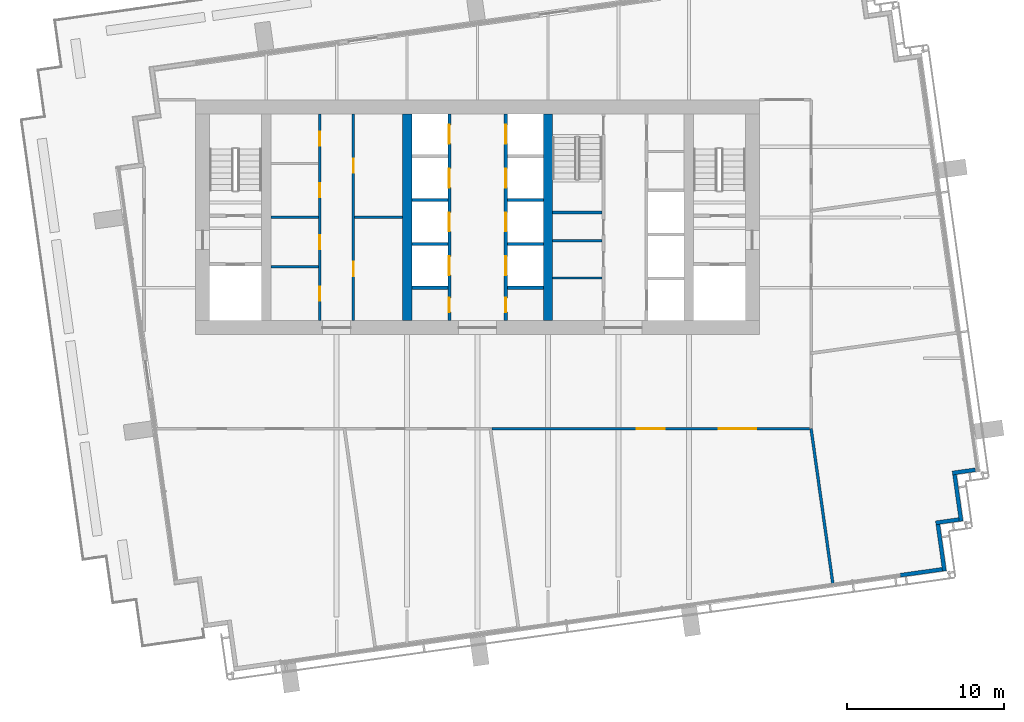
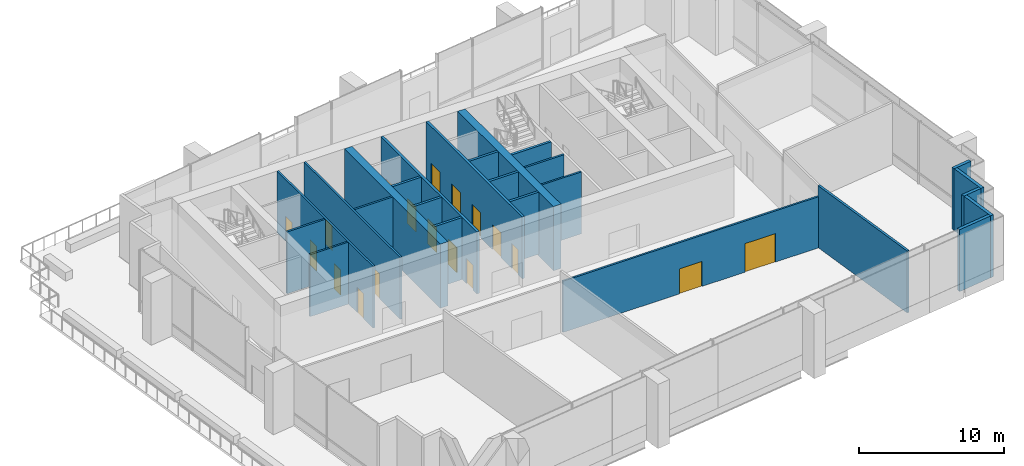
# One storey, part 7 of 18: 25 walls, 17 doors, 1 window, 18 openings.
"""IFC4 building model written with IfcOpenShell, lengths in metres."""

from ifc_helpers import new_model, si_unit, direction, frame, frame_2d, origin, place, context, subcontext, project, spatial, rectangle, extrude, material, layer, layer_set, type_object, element, fill, save


model = new_model("IFC4")

# Units and contexts
model_context = context("Model", 3, precision=1e-05, world=origin(), true_north=direction((0.0, 1.0)))
body_context = subcontext(model_context, "Body", "Model", "MODEL_VIEW")
ifc_project = project(units=[si_unit("LENGTHUNIT", "METRE"), si_unit("AREAUNIT", "SQUARE_METRE"), si_unit("VOLUMEUNIT", "CUBIC_METRE"), si_unit("PLANEANGLEUNIT", "RADIAN"), si_unit("MASSUNIT", "GRAM", prefix="KILO")], contexts=[model_context])

# Site, building, storey
site_placement = place(None, origin())
site = spatial("IfcSite", under=ifc_project, at=site_placement, CompositionType="ELEMENT")
building_placement = place(site_placement, origin())
building = spatial("IfcBuilding", under=site, at=building_placement, Name="Rattan Terrace Tower", CompositionType="ELEMENT")
storey_placement = place(building_placement, frame((0.0, 0.0, 208.10009765625)))
storey = spatial("IfcBuildingStorey", under=building, at=storey_placement, Name="L47", CompositionType="ELEMENT", Elevation=208.10009765625)

# Wall, openings, doors
ifc_material_1 = material(Name="Gypsum board partition")
ifc_layer_1 = layer(ifc_material_1, 0.14990234375)
ifc_layer_set_1 = layer_set([ifc_layer_1], Name="Core partition 150")
wall_type_1 = type_object("IfcWallType", Name="Core partition 150", PredefinedType="PARTITIONING", material=ifc_layer_set_1)
wall_1_placement = place(storey_placement, frame((-10.074951171875, -6.60009765625, 0.0), z_axis=(0.0, 0.0, 1.0), x_axis=(0.0, 1.0, 0.0)))
wall_1 = element("IfcWall", 1, at=wall_1_placement, inside=storey, type_object=wall_type_1, Name="Core room wall", PredefinedType="PARTITIONING", context=body_context, shape_type="SweptSolid", body=[
    extrude(rectangle(XDim=13.2001953125, YDim=0.14990234375, at=frame_2d((6.60009765625, 0.0))), origin(), (0.0, 0.0, 1.0), 5.199951171875),
])
opening_1_placement = place(wall_1_placement, frame((1.26611328125, 0.0, 0.0)))
opening_1 = element("IfcOpeningElement", 2, at=opening_1_placement, cuts=wall_1, Name="Opening L47-D005", PredefinedType="OPENING", context=body_context, shape_type="SweptSolid", body=[
    extrude(rectangle(XDim=0.89990234375, YDim=2.10009765625, at=frame_2d((0.449951171875, 1.050048828125))), frame((0.0, 0.08544921875, 0.0), z_axis=(0.0, -1.0, 0.0), x_axis=(1.0, 0.0, 0.0)), (0.0, 0.0, 1.0), 0.1708984375),
])
opening_2_placement = place(wall_1_placement, frame((4.56591796875, 0.0, 0.0)))
opening_2 = element("IfcOpeningElement", 3, at=opening_2_placement, cuts=wall_1, Name="Opening L47-D006", PredefinedType="OPENING", context=body_context, shape_type="SweptSolid", body=[
    extrude(rectangle(XDim=0.89990234375, YDim=2.10009765625, at=frame_2d((0.449951171875, 1.050048828125))), frame((0.0, 0.08544921875, 0.0), z_axis=(0.0, -1.0, 0.0), x_axis=(1.0, 0.0, 0.0)), (0.0, 0.0, 1.0), 0.1708984375),
])
opening_3_placement = place(wall_1_placement, frame((7.865966796875, 0.0, 0.0)))
opening_3 = element("IfcOpeningElement", 4, at=opening_3_placement, cuts=wall_1, Name="Opening L47-D007", PredefinedType="OPENING", context=body_context, shape_type="SweptSolid", body=[
    extrude(rectangle(XDim=0.89990234375, YDim=2.10009765625, at=frame_2d((0.449951171875, 1.050048828125))), frame((0.0, 0.08544921875, 0.0), z_axis=(0.0, -1.0, 0.0), x_axis=(1.0, 0.0, 0.0)), (0.0, 0.0, 1.0), 0.1708984375),
])
opening_4_placement = place(wall_1_placement, frame((11.166015625, 0.0, 0.0)))
opening_4 = element("IfcOpeningElement", 5, at=opening_4_placement, cuts=wall_1, Name="Opening L47-D008", PredefinedType="OPENING", context=body_context, shape_type="SweptSolid", body=[
    extrude(rectangle(XDim=0.89990234375, YDim=2.10009765625, at=frame_2d((0.449951171875, 1.050048828125))), frame((0.0, 0.08544921875, 0.0), z_axis=(0.0, -1.0, 0.0), x_axis=(1.0, 0.0, 0.0)), (0.0, 0.0, 1.0), 0.1708984375),
])
ifc_material_2 = material(Name="Hollow-metal fire door leaf")
door_type_1 = type_object("IfcDoorType", Name="Core service room door 900", OperationType="NOTDEFINED", PredefinedType="DOOR", material=ifc_material_2)
door_1_placement = place(opening_1_placement, origin())
door_1 = element("IfcDoor", 6, at=door_1_placement, inside=storey, type_object=door_type_1, Name="Door L47-D005", OperationType="SINGLE_SWING_RIGHT", OverallHeight=2.10009765625, OverallWidth=0.89990234375, PredefinedType="DOOR", context=body_context, shape_type="SweptSolid", body=[
    extrude(rectangle(XDim=0.89990234375, YDim=2.10009765625, at=frame_2d((0.449951171875, 1.050048828125))), frame((0.0, 0.02490234375, 0.0), z_axis=(0.0, -1.0, 0.0), x_axis=(1.0, 0.0, 0.0)), (0.0, 0.0, 1.0), 0.050048828125),
])
fill(opening_1, door_1)
door_2_placement = place(opening_2_placement, origin())
door_2 = element("IfcDoor", 7, at=door_2_placement, inside=storey, type_object=door_type_1, Name="Door L47-D006", OperationType="SINGLE_SWING_LEFT", OverallHeight=2.10009765625, OverallWidth=0.89990234375, PredefinedType="DOOR", context=body_context, shape_type="SweptSolid", body=[
    extrude(rectangle(XDim=0.89990234375, YDim=2.10009765625, at=frame_2d((0.449951171875, 1.050048828125))), frame((0.0, 0.02490234375, 0.0), z_axis=(0.0, -1.0, 0.0), x_axis=(1.0, 0.0, 0.0)), (0.0, 0.0, 1.0), 0.050048828125),
])
fill(opening_2, door_2)
door_3_placement = place(opening_3_placement, origin())
door_3 = element("IfcDoor", 8, at=door_3_placement, inside=storey, type_object=door_type_1, Name="Door L47-D007", OperationType="SINGLE_SWING_RIGHT", OverallHeight=2.10009765625, OverallWidth=0.89990234375, PredefinedType="DOOR", context=body_context, shape_type="SweptSolid", body=[
    extrude(rectangle(XDim=0.89990234375, YDim=2.10009765625, at=frame_2d((0.449951171875, 1.050048828125))), frame((0.0, 0.02490234375, 0.0), z_axis=(0.0, -1.0, 0.0), x_axis=(1.0, 0.0, 0.0)), (0.0, 0.0, 1.0), 0.050048828125),
])
fill(opening_3, door_3)
door_4_placement = place(opening_4_placement, origin())
door_4 = element("IfcDoor", 9, at=door_4_placement, inside=storey, type_object=door_type_1, Name="Door L47-D008", OperationType="SINGLE_SWING_LEFT", OverallHeight=2.10009765625, OverallWidth=0.89990234375, PredefinedType="DOOR", context=body_context, shape_type="SweptSolid", body=[
    extrude(rectangle(XDim=0.89990234375, YDim=2.10009765625, at=frame_2d((0.449951171875, 1.050048828125))), frame((0.0, 0.02490234375, 0.0), z_axis=(0.0, -1.0, 0.0), x_axis=(1.0, 0.0, 0.0)), (0.0, 0.0, 1.0), 0.050048828125),
])
fill(opening_4, door_4)

# Walls
for number, where, z_axis, x_axis, name in (
    (10, (-13.199951171875, -3.16796875, 0.0), (0.0, 0.0, 1.0), (1.0, 0.0, 0.0), "Core room wall"),
    (11, (-13.199951171875, 0.0, 0.0), (0.0, 0.0, 1.0), (1.0, 0.0, 0.0), "Core room wall"),
):
    element("IfcWall", number, at=place(storey_placement, frame(where, z_axis=z_axis, x_axis=x_axis)), inside=storey, type_object=wall_type_1, Name=name, PredefinedType="PARTITIONING", context=body_context, shape_type="SweptSolid", body=[
        extrude(rectangle(XDim=3.050048828125, YDim=0.14990234375, at=frame_2d((1.52490234375, 0.0))), origin(), (0.0, 0.0, 1.0), 5.199951171875),
    ])

# Wall, openings, doors
wall_2_placement = place(storey_placement, frame((-7.925048828125, -6.60009765625, 0.0), z_axis=(0.0, 0.0, 1.0), x_axis=(0.0, 1.0, 0.0)))
wall_2 = element("IfcWall", 12, at=wall_2_placement, inside=storey, type_object=wall_type_1, Name="Core room wall", PredefinedType="PARTITIONING", context=body_context, shape_type="SweptSolid", body=[
    extrude(rectangle(XDim=13.2001953125, YDim=0.14990234375, at=frame_2d((6.60009765625, 0.0))), origin(), (0.0, 0.0, 1.0), 5.199951171875),
])
opening_5_placement = place(wall_2_placement, frame((2.85009765625, 0.0, 0.0)))
opening_5 = element("IfcOpeningElement", 13, at=opening_5_placement, cuts=wall_2, Name="Opening L47-D009", PredefinedType="OPENING", context=body_context, shape_type="SweptSolid", body=[
    extrude(rectangle(XDim=0.89990234375, YDim=2.10009765625, at=frame_2d((0.449951171875, 1.050048828125))), frame((0.0, 0.08544921875, 0.0), z_axis=(0.0, -1.0, 0.0), x_axis=(1.0, 0.0, 0.0)), (0.0, 0.0, 1.0), 0.1708984375),
])
opening_6_placement = place(wall_2_placement, frame((9.449951171875, 0.0, 0.0)))
opening_6 = element("IfcOpeningElement", 14, at=opening_6_placement, cuts=wall_2, Name="Opening L47-D010", PredefinedType="OPENING", context=body_context, shape_type="SweptSolid", body=[
    extrude(rectangle(XDim=0.89990234375, YDim=2.10009765625, at=frame_2d((0.449951171875, 1.050048828125))), frame((0.0, 0.08544921875, 0.0), z_axis=(0.0, -1.0, 0.0), x_axis=(1.0, 0.0, 0.0)), (0.0, 0.0, 1.0), 0.1708984375),
])
door_5_placement = place(opening_5_placement, origin())
door_5 = element("IfcDoor", 15, at=door_5_placement, inside=storey, type_object=door_type_1, Name="Door L47-D009", OperationType="SINGLE_SWING_RIGHT", OverallHeight=2.10009765625, OverallWidth=0.89990234375, PredefinedType="DOOR", context=body_context, shape_type="SweptSolid", body=[
    extrude(rectangle(XDim=0.89990234375, YDim=2.10009765625, at=frame_2d((0.449951171875, 1.050048828125))), frame((0.0, 0.02490234375, 0.0), z_axis=(0.0, -1.0, 0.0), x_axis=(1.0, 0.0, 0.0)), (0.0, 0.0, 1.0), 0.050048828125),
])
fill(opening_5, door_5)
door_6_placement = place(opening_6_placement, origin())
door_6 = element("IfcDoor", 16, at=door_6_placement, inside=storey, type_object=door_type_1, Name="Door L47-D010", OperationType="SINGLE_SWING_LEFT", OverallHeight=2.10009765625, OverallWidth=0.89990234375, PredefinedType="DOOR", context=body_context, shape_type="SweptSolid", body=[
    extrude(rectangle(XDim=0.89990234375, YDim=2.10009765625, at=frame_2d((0.449951171875, 1.050048828125))), frame((0.0, 0.02490234375, 0.0), z_axis=(0.0, -1.0, 0.0), x_axis=(1.0, 0.0, 0.0)), (0.0, 0.0, 1.0), 0.050048828125),
])
fill(opening_6, door_6)

# Walls
wall_3_placement = place(storey_placement, frame((-7.85009765625, 0.0, 0.0), z_axis=(0.0, 0.0, 1.0), x_axis=(1.0, 0.0, 0.0)))
element("IfcWall", 17, at=wall_3_placement, inside=storey, type_object=wall_type_1, Name="Core room wall", PredefinedType="PARTITIONING", context=body_context, shape_type="SweptSolid", body=[
    extrude(rectangle(XDim=3.050048828125, YDim=0.14990234375, at=frame_2d((1.52490234375, 0.0))), origin(), (0.0, 0.0, 1.0), 5.199951171875),
])
for number, where, z_axis, x_axis, name in (
    (18, (4.800048828125, -3.8798828125, 0.0), (0.0, 0.0, 1.0), (1.0, 0.0, 0.0), "Toilet wall"),
    (19, (4.800048828125, -1.5, 0.0), (0.0, 0.0, 1.0), (1.0, 0.0, 0.0), "Toilet wall"),
):
    element("IfcWall", number, at=place(storey_placement, frame(where, z_axis=z_axis, x_axis=x_axis)), inside=storey, type_object=wall_type_1, Name=name, PredefinedType="PARTITIONING", context=body_context, shape_type="SweptSolid", body=[
        extrude(rectangle(XDim=3.14990234375, YDim=0.14990234375, at=frame_2d((1.574951171875, 0.0))), origin(), (0.0, 0.0, 1.0), 5.199951171875),
    ])
ifc_material_3 = material(Name="Gypsum board partition")
ifc_layer_2 = layer(ifc_material_3, 0.199951171875)
ifc_layer_set_2 = layer_set([ifc_layer_2], Name="Core partition 200")
wall_type_2 = type_object("IfcWallType", Name="Core partition 200", PredefinedType="PARTITIONING", material=ifc_layer_set_2)
wall_4_placement = place(storey_placement, frame((4.800048828125, 0.300048828125, 0.0), z_axis=(0.0, 0.0, 1.0), x_axis=(1.0, 0.0, 0.0)))
element("IfcWall", 20, at=wall_4_placement, inside=storey, type_object=wall_type_2, Name="Stair enclosure wall", PredefinedType="PARTITIONING", context=body_context, shape_type="SweptSolid", body=[
    extrude(rectangle(XDim=3.14990234375, YDim=0.199951171875, at=frame_2d((1.574951171875, 0.0))), origin(), (0.0, 0.0, 1.0), 5.199951171875),
])
ifc_material_4 = material(Name="Concrete C50/60", Category="concrete")
ifc_layer_3 = layer(ifc_material_4, 0.60009765625)
ifc_layer_set_3 = layer_set([ifc_layer_3], Name="Core spine wall 600 C50/60")
wall_type_3 = type_object("IfcWallType", Name="Core spine wall 600 C50/60", PredefinedType="SHEAR", material=ifc_layer_set_3)
for number, where, z_axis, x_axis, name in (
    (21, (-4.5, -6.60009765625, -0.2001953125), (0.0, 0.0, 1.0), (0.0, 1.0, 0.0), "Core spine wall 2"),
    (22, (4.5, -6.60009765625, -0.2001953125), (0.0, 0.0, 1.0), (0.0, 1.0, 0.0), "Core spine wall 3"),
):
    element("IfcWall", number, at=place(storey_placement, frame(where, z_axis=z_axis, x_axis=x_axis)), inside=storey, type_object=wall_type_3, Name=name, PredefinedType="SHEAR", context=body_context, shape_type="SweptSolid", body=[
        extrude(rectangle(XDim=13.2001953125, YDim=0.60009765625, at=frame_2d((6.60009765625, 0.0))), origin(), (0.0, 0.0, 1.0), 5.400146484375),
    ])
ifc_material_5 = material(Name="Insulated aluminium-clad stud wall", Category="aluminium")
ifc_layer_4 = layer(ifc_material_5, 0.25)
ifc_layer_set_4 = layer_set([ifc_layer_4], Name="Facade Riser Wall 250")
wall_type_4 = type_object("IfcWallType", Name="Facade Riser Wall 250", PredefinedType="SOLIDWALL", material=ifc_layer_set_4)
wall_5_placement = place(storey_placement, frame((26.995361328125, -22.858642578125, 0.0), z_axis=(0.0, 0.0, 1.0), x_axis=(0.99024510326, 0.139336411139, 0.0)))
element("IfcWall", 23, at=wall_5_placement, inside=storey, type_object=wall_type_4, Name="Riser wall L47-1", PredefinedType="SOLIDWALL", context=body_context, shape_type="SweptSolid", body=[
    extrude(rectangle(XDim=2.705322265625, YDim=0.25, at=frame_2d((1.3525390625, 0.0))), origin(), (0.0, 0.0, 1.0), 5.199951171875),
])
wall_6_placement = place(storey_placement, frame((29.8154296875, -22.588134765625, 0.0), z_axis=(0.0, 0.0, 1.0), x_axis=(-0.138983028379, 0.9902947631, 0.0)))
element("IfcWall", 24, at=wall_6_placement, inside=storey, type_object=wall_type_4, Name="Riser wall L47-2", PredefinedType="SOLIDWALL", context=body_context, shape_type="SweptSolid", body=[
    extrude(rectangle(XDim=3.000244140625, YDim=0.25, at=frame_2d((1.5, 0.0))), origin(), (0.0, 0.0, 1.0), 5.199951171875),
])
wall_7_placement = place(storey_placement, frame((29.25732421875, -19.510498046875, 0.0), z_axis=(0.0, 0.0, 1.0), x_axis=(0.990330117064, 0.138730887823, 0.0)))
element("IfcWall", 25, at=wall_7_placement, inside=storey, type_object=wall_type_4, Name="Riser wall L47-3", PredefinedType="SOLIDWALL", context=body_context, shape_type="SweptSolid", body=[
    extrude(rectangle(XDim=1.499267578125, YDim=0.25, at=frame_2d((0.74951171875, 0.0))), origin(), (0.0, 0.0, 1.0), 5.199951171875),
])
wall_8_placement = place(storey_placement, frame((30.88330078125, -19.408935546875, 0.0), z_axis=(0.0, 0.0, 1.0), x_axis=(-0.139324658755, 0.990246756855, 0.0)))
element("IfcWall", 26, at=wall_8_placement, inside=storey, type_object=wall_type_4, Name="Riser wall L47-4", PredefinedType="SOLIDWALL", context=body_context, shape_type="SweptSolid", body=[
    extrude(rectangle(XDim=3.0, YDim=0.25, at=frame_2d((1.5, 0.0))), origin(), (0.0, 0.0, 1.0), 5.199951171875),
])
wall_9_placement = place(storey_placement, frame((30.32421875, -16.331787109375, 0.0), z_axis=(0.0, 0.0, 1.0), x_axis=(0.99024837765, 0.13931313851, 0.0)))
element("IfcWall", 27, at=wall_9_placement, inside=storey, type_object=wall_type_4, Name="Riser wall L47-5", PredefinedType="SOLIDWALL", context=body_context, shape_type="SweptSolid", body=[
    extrude(rectangle(XDim=1.4755859375, YDim=0.25, at=frame_2d((0.73779296875, 0.0))), origin(), (0.0, 0.0, 1.0), 5.199951171875),
])
ifc_material_6 = material(Name="Double steel stud acoustic partition, gypsum board, mineral wool, fire rated", Category="steel")
ifc_layer_5 = layer(ifc_material_6, 0.179931640625)
ifc_layer_set_5 = layer_set([ifc_layer_5], Name="Floors Acoustic Party Wall 180")
wall_type_5 = type_object("IfcWallType", Name="Floors Acoustic Party Wall 180", PredefinedType="PARTITIONING", material=ifc_layer_set_5)
wall_10_placement = place(storey_placement, frame((21.300048828125, -13.5, 0.0), z_axis=(0.0, 0.0, 1.0), x_axis=(0.139100263023, -0.990278302714, 0.0)))
element("IfcWall", 28, at=wall_10_placement, inside=storey, type_object=wall_type_5, Name="pt-L47-012", PredefinedType="PARTITIONING", context=body_context, shape_type="SweptSolid", body=[
    extrude(rectangle(XDim=9.970947265625, YDim=0.179931640625, at=frame_2d((4.9853515625, 0.0))), origin(), (0.0, 0.0, 1.0), 5.199951171875),
])

# Wall, openings, door, window
ifc_material_7 = material(Name="Gypsum board partition on steel studs, fire rated", Category="steel")
ifc_layer_6 = layer(ifc_material_7, 0.14990234375)
ifc_layer_set_6 = layer_set([ifc_layer_6], Name="Floors Tenancy Wall 150")
wall_type_6 = type_object("IfcWallType", Name="Floors Tenancy Wall 150", PredefinedType="PARTITIONING", material=ifc_layer_set_6)
wall_11_placement = place(storey_placement, frame((21.2109375, -13.5, 0.0), z_axis=(0.0, 0.0, 1.0), x_axis=(-1.0, 0.0, 0.0)))
wall_11 = element("IfcWall", 29, at=wall_11_placement, inside=storey, type_object=wall_type_6, Name="pt-L47-003", PredefinedType="PARTITIONING", context=body_context, shape_type="SweptSolid", body=[
    extrude(rectangle(XDim=20.286865234375, YDim=0.14990234375, at=frame_2d((10.1435546875, 0.0))), origin(), (0.0, 0.0, 1.0), 4.2998046875),
])
opening_7_placement = place(wall_11_placement, frame((9.242919921875, 0.0, 0.0)))
opening_7 = element("IfcOpeningElement", 30, at=opening_7_placement, cuts=wall_11, Name="Opening L47-D102", PredefinedType="OPENING", context=body_context, shape_type="SweptSolid", body=[
    extrude(rectangle(XDim=1.800048828125, YDim=2.10009765625, at=frame_2d((0.89990234375, 1.050048828125))), frame((0.0, 0.08544921875, 0.0), z_axis=(0.0, -1.0, 0.0), x_axis=(1.0, 0.0, 0.0)), (0.0, 0.0, 1.0), 0.1708984375),
])
opening_8_placement = place(wall_11_placement, frame((3.422119140625, 0.0, 0.0)))
opening_8 = element("IfcOpeningElement", 31, at=opening_8_placement, cuts=wall_11, Name="Opening L47-W102", PredefinedType="OPENING", context=body_context, shape_type="SweptSolid", body=[
    extrude(rectangle(XDim=2.39990234375, YDim=2.39990234375, at=frame_2d((1.199951171875, 1.199951171875))), frame((0.0, 0.08544921875, 0.0), z_axis=(0.0, -1.0, 0.0), x_axis=(1.0, 0.0, 0.0)), (0.0, 0.0, 1.0), 0.1708984375),
])
ifc_material_8 = material(Name="Steel fire door set", Category="steel")
door_type_2 = type_object("IfcDoorType", Name="Floors Fire Door Pair FD30S 1800x2100", OperationType="NOTDEFINED", PredefinedType="DOOR", material=ifc_material_8)
door_7_placement = place(opening_7_placement, origin())
door_7 = element("IfcDoor", 32, at=door_7_placement, inside=storey, type_object=door_type_2, Name="d-L47-102", OperationType="DOUBLE_DOOR_SINGLE_SWING", OverallHeight=2.10009765625, OverallWidth=1.800048828125, PredefinedType="DOOR", context=body_context, shape_type="SweptSolid", body=[
    extrude(rectangle(XDim=1.800048828125, YDim=2.10009765625, at=frame_2d((0.89990234375, 1.050048828125))), frame((0.0, 0.02490234375, 0.0), z_axis=(0.0, -1.0, 0.0), x_axis=(1.0, 0.0, 0.0)), (0.0, 0.0, 1.0), 0.050048828125),
])
fill(opening_7, door_7)
ifc_material_9 = material(Name="Glass, clear, fixed in aluminium frame", Category="aluminium")
window_type = type_object("IfcWindowType", Name="Interior Glazed Screen 2400x2400", PartitioningType="SINGLE_PANEL", PredefinedType="WINDOW", material=ifc_material_9)
window_placement = place(opening_8_placement, origin())
window = element("IfcWindow", 33, at=window_placement, inside=storey, type_object=window_type, Name="w-L47-102", OverallHeight=2.39990234375, OverallWidth=2.39990234375, PartitioningType="SINGLE_PANEL", PredefinedType="WINDOW", context=body_context, shape_type="SweptSolid", body=[
    extrude(rectangle(XDim=2.39990234375, YDim=2.39990234375, at=frame_2d((1.199951171875, 1.199951171875))), frame((0.0, 0.030029296875, 0.0), z_axis=(0.0, -1.0, 0.0), x_axis=(1.0, 0.0, 0.0)), (0.0, 0.0, 1.0), 0.06005859375),
])
fill(opening_8, window)

# Wall, openings, doors
ifc_material_10 = material(Name="Gypsum shaft wall system")
ifc_layer_7 = layer(ifc_material_10, 0.199951171875)
ifc_layer_set_7 = layer_set([ifc_layer_7], Name="Lift shaft wall 200")
wall_type_7 = type_object("IfcWallType", Name="Lift shaft wall 200", PredefinedType="PARTITIONING", material=ifc_layer_set_7)
wall_12_placement = place(storey_placement, frame((-1.800048828125, -6.60009765625, 0.0), z_axis=(0.0, 0.0, 1.0), x_axis=(0.0, 1.0, 0.0)))
wall_12 = element("IfcWall", 34, at=wall_12_placement, inside=storey, type_object=wall_type_7, Name="Lift shaft front wall", PredefinedType="PARTITIONING", context=body_context, shape_type="SweptSolid", body=[
    extrude(rectangle(XDim=13.2001953125, YDim=0.199951171875, at=frame_2d((6.60009765625, 0.0))), origin(), (0.0, 0.0, 1.0), 5.199951171875),
])
opening_9_placement = place(wall_12_placement, frame((0.550048828125, 0.0, 0.0)))
opening_9 = element("IfcOpeningElement", 35, at=opening_9_placement, cuts=wall_12, Name="Opening L47-D012", PredefinedType="OPENING", context=body_context, shape_type="SweptSolid", body=[
    extrude(rectangle(XDim=0.89990234375, YDim=2.10009765625, at=frame_2d((0.449951171875, 1.050048828125))), frame((0.0, 0.110595703125, 0.0), z_axis=(0.0, -1.0, 0.0), x_axis=(1.0, 0.0, 0.0)), (0.0, 0.0, 1.0), 0.220947265625),
])
opening_10_placement = place(wall_12_placement, frame((2.89990234375, 0.0, 0.0)))
opening_10 = element("IfcOpeningElement", 36, at=opening_10_placement, cuts=wall_12, Name="Opening L47-LD-HR1", PredefinedType="OPENING", context=body_context, shape_type="SweptSolid", body=[
    extrude(rectangle(XDim=1.199951171875, YDim=2.10009765625, at=frame_2d((0.60009765625, 1.050048828125))), frame((0.0, 0.110595703125, 0.0), z_axis=(0.0, -1.0, 0.0), x_axis=(1.0, 0.0, 0.0)), (0.0, 0.0, 1.0), 0.220947265625),
])
opening_11_placement = place(wall_12_placement, frame((5.699951171875, 0.0, 0.0)))
opening_11 = element("IfcOpeningElement", 37, at=opening_11_placement, cuts=wall_12, Name="Opening L47-LD-HR2", PredefinedType="OPENING", context=body_context, shape_type="SweptSolid", body=[
    extrude(rectangle(XDim=1.199951171875, YDim=2.10009765625, at=frame_2d((0.60009765625, 1.050048828125))), frame((0.0, 0.110595703125, 0.0), z_axis=(0.0, -1.0, 0.0), x_axis=(1.0, 0.0, 0.0)), (0.0, 0.0, 1.0), 0.220947265625),
])
opening_12_placement = place(wall_12_placement, frame((8.5, 0.0, 0.0)))
opening_12 = element("IfcOpeningElement", 38, at=opening_12_placement, cuts=wall_12, Name="Opening L47-LD-HR3", PredefinedType="OPENING", context=body_context, shape_type="SweptSolid", body=[
    extrude(rectangle(XDim=1.199951171875, YDim=2.10009765625, at=frame_2d((0.60009765625, 1.050048828125))), frame((0.0, 0.110595703125, 0.0), z_axis=(0.0, -1.0, 0.0), x_axis=(1.0, 0.0, 0.0)), (0.0, 0.0, 1.0), 0.220947265625),
])
opening_13_placement = place(wall_12_placement, frame((11.300048828125, 0.0, 0.0)))
opening_13 = element("IfcOpeningElement", 39, at=opening_13_placement, cuts=wall_12, Name="Opening L47-LD-HR4", PredefinedType="OPENING", context=body_context, shape_type="SweptSolid", body=[
    extrude(rectangle(XDim=1.199951171875, YDim=2.10009765625, at=frame_2d((0.60009765625, 1.050048828125))), frame((0.0, 0.110595703125, 0.0), z_axis=(0.0, -1.0, 0.0), x_axis=(1.0, 0.0, 0.0)), (0.0, 0.0, 1.0), 0.220947265625),
])
ifc_material_11 = material(Name="Brushed stainless landing door panel")
door_type_3 = type_object("IfcDoorType", Name="Core lift landing door 1200", OperationType="DOUBLE_DOOR_SLIDING", PredefinedType="DOOR", material=ifc_material_11)
door_8_placement = place(opening_10_placement, origin())
door_8 = element("IfcDoor", 40, at=door_8_placement, inside=storey, type_object=door_type_3, Name="Door L47-LD-HR1", OperationType="DOUBLE_DOOR_SLIDING", OverallHeight=2.10009765625, OverallWidth=1.199951171875, PredefinedType="DOOR", context=body_context, shape_type="SweptSolid", body=[
    extrude(rectangle(XDim=1.199951171875, YDim=2.10009765625, at=frame_2d((0.60009765625, 1.050048828125))), frame((0.0, 0.02490234375, 0.0), z_axis=(0.0, -1.0, 0.0), x_axis=(1.0, 0.0, 0.0)), (0.0, 0.0, 1.0), 0.050048828125),
])
fill(opening_10, door_8)
door_9_placement = place(opening_11_placement, origin())
door_9 = element("IfcDoor", 41, at=door_9_placement, inside=storey, type_object=door_type_3, Name="Door L47-LD-HR2", OperationType="DOUBLE_DOOR_SLIDING", OverallHeight=2.10009765625, OverallWidth=1.199951171875, PredefinedType="DOOR", context=body_context, shape_type="SweptSolid", body=[
    extrude(rectangle(XDim=1.199951171875, YDim=2.10009765625, at=frame_2d((0.60009765625, 1.050048828125))), frame((0.0, 0.02490234375, 0.0), z_axis=(0.0, -1.0, 0.0), x_axis=(1.0, 0.0, 0.0)), (0.0, 0.0, 1.0), 0.050048828125),
])
fill(opening_11, door_9)
door_10_placement = place(opening_12_placement, origin())
door_10 = element("IfcDoor", 42, at=door_10_placement, inside=storey, type_object=door_type_3, Name="Door L47-LD-HR3", OperationType="DOUBLE_DOOR_SLIDING", OverallHeight=2.10009765625, OverallWidth=1.199951171875, PredefinedType="DOOR", context=body_context, shape_type="SweptSolid", body=[
    extrude(rectangle(XDim=1.199951171875, YDim=2.10009765625, at=frame_2d((0.60009765625, 1.050048828125))), frame((0.0, 0.02490234375, 0.0), z_axis=(0.0, -1.0, 0.0), x_axis=(1.0, 0.0, 0.0)), (0.0, 0.0, 1.0), 0.050048828125),
])
fill(opening_12, door_10)
door_11_placement = place(opening_13_placement, origin())
door_11 = element("IfcDoor", 43, at=door_11_placement, inside=storey, type_object=door_type_3, Name="Door L47-LD-HR4", OperationType="DOUBLE_DOOR_SLIDING", OverallHeight=2.10009765625, OverallWidth=1.199951171875, PredefinedType="DOOR", context=body_context, shape_type="SweptSolid", body=[
    extrude(rectangle(XDim=1.199951171875, YDim=2.10009765625, at=frame_2d((0.60009765625, 1.050048828125))), frame((0.0, 0.02490234375, 0.0), z_axis=(0.0, -1.0, 0.0), x_axis=(1.0, 0.0, 0.0)), (0.0, 0.0, 1.0), 0.050048828125),
])
fill(opening_13, door_11)
ifc_material_12 = material(Name="Hollow-metal fire door leaf")
door_type_4 = type_object("IfcDoorType", Name="Core riser door 900", OperationType="NOTDEFINED", PredefinedType="DOOR", material=ifc_material_12)
door_12_placement = place(opening_9_placement, origin())
door_12 = element("IfcDoor", 44, at=door_12_placement, inside=storey, type_object=door_type_4, Name="Door L47-D012", OperationType="SINGLE_SWING_LEFT", OverallHeight=2.10009765625, OverallWidth=0.89990234375, PredefinedType="DOOR", context=body_context, shape_type="SweptSolid", body=[
    extrude(rectangle(XDim=0.89990234375, YDim=2.10009765625, at=frame_2d((0.449951171875, 1.050048828125))), frame((0.0, 0.02490234375, 0.0), z_axis=(0.0, -1.0, 0.0), x_axis=(1.0, 0.0, 0.0)), (0.0, 0.0, 1.0), 0.050048828125),
])
fill(opening_9, door_12)

wall_13_placement = place(storey_placement, frame((1.800048828125, -6.60009765625, 0.0), z_axis=(0.0, 0.0, 1.0), x_axis=(0.0, 1.0, 0.0)))
wall_13 = element("IfcWall", 45, at=wall_13_placement, inside=storey, type_object=wall_type_7, Name="Lift shaft front wall", PredefinedType="PARTITIONING", context=body_context, shape_type="SweptSolid", body=[
    extrude(rectangle(XDim=13.2001953125, YDim=0.199951171875, at=frame_2d((6.60009765625, 0.0))), origin(), (0.0, 0.0, 1.0), 5.199951171875),
])
opening_14_placement = place(wall_13_placement, frame((0.550048828125, 0.0, 0.0)))
opening_14 = element("IfcOpeningElement", 46, at=opening_14_placement, cuts=wall_13, Name="Opening L47-D013", PredefinedType="OPENING", context=body_context, shape_type="SweptSolid", body=[
    extrude(rectangle(XDim=0.89990234375, YDim=2.10009765625, at=frame_2d((0.449951171875, 1.050048828125))), frame((0.0, 0.110595703125, 0.0), z_axis=(0.0, -1.0, 0.0), x_axis=(1.0, 0.0, 0.0)), (0.0, 0.0, 1.0), 0.220947265625),
])
opening_15_placement = place(wall_13_placement, frame((2.89990234375, 0.0, 0.0)))
opening_15 = element("IfcOpeningElement", 47, at=opening_15_placement, cuts=wall_13, Name="Opening L47-LD-HR5", PredefinedType="OPENING", context=body_context, shape_type="SweptSolid", body=[
    extrude(rectangle(XDim=1.199951171875, YDim=2.10009765625, at=frame_2d((0.60009765625, 1.050048828125))), frame((0.0, 0.110595703125, 0.0), z_axis=(0.0, -1.0, 0.0), x_axis=(1.0, 0.0, 0.0)), (0.0, 0.0, 1.0), 0.220947265625),
])
opening_16_placement = place(wall_13_placement, frame((5.699951171875, 0.0, 0.0)))
opening_16 = element("IfcOpeningElement", 48, at=opening_16_placement, cuts=wall_13, Name="Opening L47-LD-HR6", PredefinedType="OPENING", context=body_context, shape_type="SweptSolid", body=[
    extrude(rectangle(XDim=1.199951171875, YDim=2.10009765625, at=frame_2d((0.60009765625, 1.050048828125))), frame((0.0, 0.110595703125, 0.0), z_axis=(0.0, -1.0, 0.0), x_axis=(1.0, 0.0, 0.0)), (0.0, 0.0, 1.0), 0.220947265625),
])
opening_17_placement = place(wall_13_placement, frame((8.5, 0.0, 0.0)))
opening_17 = element("IfcOpeningElement", 49, at=opening_17_placement, cuts=wall_13, Name="Opening L47-LD-HR7", PredefinedType="OPENING", context=body_context, shape_type="SweptSolid", body=[
    extrude(rectangle(XDim=1.199951171875, YDim=2.10009765625, at=frame_2d((0.60009765625, 1.050048828125))), frame((0.0, 0.110595703125, 0.0), z_axis=(0.0, -1.0, 0.0), x_axis=(1.0, 0.0, 0.0)), (0.0, 0.0, 1.0), 0.220947265625),
])
opening_18_placement = place(wall_13_placement, frame((11.300048828125, 0.0, 0.0)))
opening_18 = element("IfcOpeningElement", 50, at=opening_18_placement, cuts=wall_13, Name="Opening L47-LD-HR8", PredefinedType="OPENING", context=body_context, shape_type="SweptSolid", body=[
    extrude(rectangle(XDim=1.199951171875, YDim=2.10009765625, at=frame_2d((0.60009765625, 1.050048828125))), frame((0.0, 0.110595703125, 0.0), z_axis=(0.0, -1.0, 0.0), x_axis=(1.0, 0.0, 0.0)), (0.0, 0.0, 1.0), 0.220947265625),
])
door_13_placement = place(opening_15_placement, origin())
door_13 = element("IfcDoor", 51, at=door_13_placement, inside=storey, type_object=door_type_3, Name="Door L47-LD-HR5", OperationType="DOUBLE_DOOR_SLIDING", OverallHeight=2.10009765625, OverallWidth=1.199951171875, PredefinedType="DOOR", context=body_context, shape_type="SweptSolid", body=[
    extrude(rectangle(XDim=1.199951171875, YDim=2.10009765625, at=frame_2d((0.60009765625, 1.050048828125))), frame((0.0, 0.02490234375, 0.0), z_axis=(0.0, -1.0, 0.0), x_axis=(1.0, 0.0, 0.0)), (0.0, 0.0, 1.0), 0.050048828125),
])
fill(opening_15, door_13)
door_14_placement = place(opening_16_placement, origin())
door_14 = element("IfcDoor", 52, at=door_14_placement, inside=storey, type_object=door_type_3, Name="Door L47-LD-HR6", OperationType="DOUBLE_DOOR_SLIDING", OverallHeight=2.10009765625, OverallWidth=1.199951171875, PredefinedType="DOOR", context=body_context, shape_type="SweptSolid", body=[
    extrude(rectangle(XDim=1.199951171875, YDim=2.10009765625, at=frame_2d((0.60009765625, 1.050048828125))), frame((0.0, 0.02490234375, 0.0), z_axis=(0.0, -1.0, 0.0), x_axis=(1.0, 0.0, 0.0)), (0.0, 0.0, 1.0), 0.050048828125),
])
fill(opening_16, door_14)
door_15_placement = place(opening_17_placement, origin())
door_15 = element("IfcDoor", 53, at=door_15_placement, inside=storey, type_object=door_type_3, Name="Door L47-LD-HR7", OperationType="DOUBLE_DOOR_SLIDING", OverallHeight=2.10009765625, OverallWidth=1.199951171875, PredefinedType="DOOR", context=body_context, shape_type="SweptSolid", body=[
    extrude(rectangle(XDim=1.199951171875, YDim=2.10009765625, at=frame_2d((0.60009765625, 1.050048828125))), frame((0.0, 0.02490234375, 0.0), z_axis=(0.0, -1.0, 0.0), x_axis=(1.0, 0.0, 0.0)), (0.0, 0.0, 1.0), 0.050048828125),
])
fill(opening_17, door_15)
door_16_placement = place(opening_18_placement, origin())
door_16 = element("IfcDoor", 54, at=door_16_placement, inside=storey, type_object=door_type_3, Name="Door L47-LD-HR8", OperationType="DOUBLE_DOOR_SLIDING", OverallHeight=2.10009765625, OverallWidth=1.199951171875, PredefinedType="DOOR", context=body_context, shape_type="SweptSolid", body=[
    extrude(rectangle(XDim=1.199951171875, YDim=2.10009765625, at=frame_2d((0.60009765625, 1.050048828125))), frame((0.0, 0.02490234375, 0.0), z_axis=(0.0, -1.0, 0.0), x_axis=(1.0, 0.0, 0.0)), (0.0, 0.0, 1.0), 0.050048828125),
])
fill(opening_18, door_16)
door_17_placement = place(opening_14_placement, origin())
door_17 = element("IfcDoor", 55, at=door_17_placement, inside=storey, type_object=door_type_4, Name="Door L47-D013", OperationType="SINGLE_SWING_RIGHT", OverallHeight=2.10009765625, OverallWidth=0.89990234375, PredefinedType="DOOR", context=body_context, shape_type="SweptSolid", body=[
    extrude(rectangle(XDim=0.89990234375, YDim=2.10009765625, at=frame_2d((0.449951171875, 1.050048828125))), frame((0.0, 0.02490234375, 0.0), z_axis=(0.0, -1.0, 0.0), x_axis=(1.0, 0.0, 0.0)), (0.0, 0.0, 1.0), 0.050048828125),
])
fill(opening_14, door_17)

# Walls
for number, where, z_axis, x_axis, name in (
    (56, (-4.199951171875, -1.699951171875, 0.0), (0.0, 0.0, 1.0), (1.0, 0.0, 0.0), "Lift shaft wall"),
    (57, (-4.199951171875, 1.10009765625, 0.0), (0.0, 0.0, 1.0), (1.0, 0.0, 0.0), "Lift shaft wall"),
    (58, (-4.199951171875, -4.5, 0.0), (0.0, 0.0, 1.0), (1.0, 0.0, 0.0), "Lift shaft wall"),
    (59, (1.89990234375, -1.699951171875, 0.0), (0.0, 0.0, 1.0), (1.0, 0.0, 0.0), "Lift shaft wall"),
    (60, (1.89990234375, 1.10009765625, 0.0), (0.0, 0.0, 1.0), (1.0, 0.0, 0.0), "Lift shaft wall"),
    (61, (1.89990234375, -4.5, 0.0), (0.0, 0.0, 1.0), (1.0, 0.0, 0.0), "Lift shaft wall"),
):
    element("IfcWall", number, at=place(storey_placement, frame(where, z_axis=z_axis, x_axis=x_axis)), inside=storey, type_object=wall_type_7, Name=name, PredefinedType="PARTITIONING", context=body_context, shape_type="SweptSolid", body=[
        extrude(rectangle(XDim=2.300048828125, YDim=0.199951171875, at=frame_2d((1.14990234375, 0.0))), origin(), (0.0, 0.0, 1.0), 5.199951171875),
    ])

save(model, "model.ifc")
